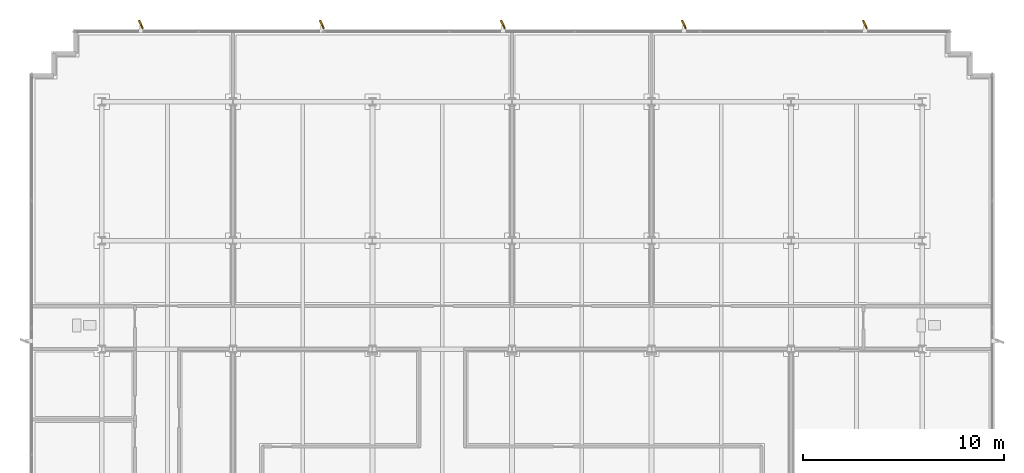
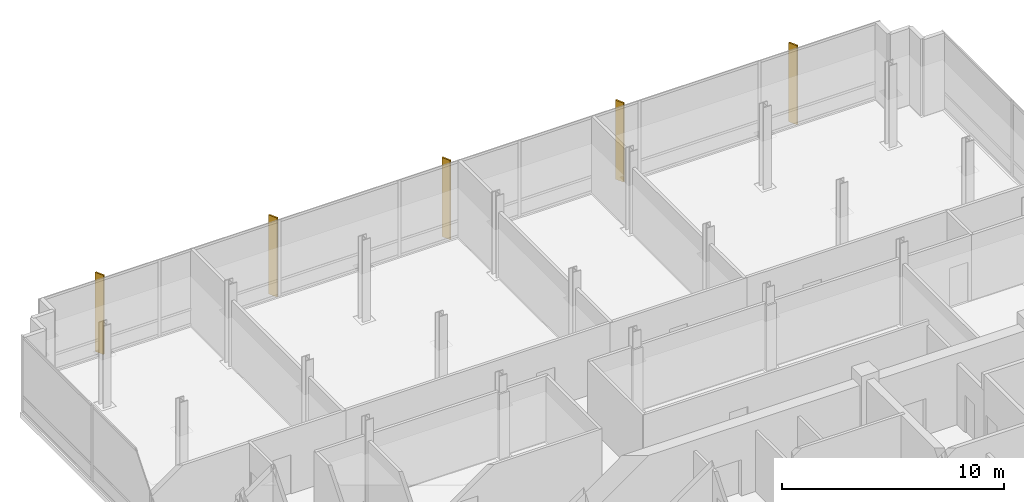
# One storey, part 16 of 17: 5 shading devices.
"""IFC4 building model written with IfcOpenShell, lengths in metres."""

from ifc_helpers import new_model, si_unit, direction, frame, origin, origin_2d, place, context, subcontext, project, spatial, rectangle, extrude, material, type_object, element, save


model = new_model("IFC4")

# Units and contexts
model_context = context("Model", 3, precision=1e-05, world=origin(), true_north=direction((0.0, 1.0)))
body_context = subcontext(model_context, "Body", "Model", "MODEL_VIEW")
ifc_project = project(units=[si_unit("LENGTHUNIT", "METRE"), si_unit("AREAUNIT", "SQUARE_METRE"), si_unit("VOLUMEUNIT", "CUBIC_METRE"), si_unit("PLANEANGLEUNIT", "RADIAN"), si_unit("MASSUNIT", "GRAM", prefix="KILO")], contexts=[model_context])

# Site, building, storey
site_placement = place(None, origin())
site = spatial("IfcSite", under=ifc_project, at=site_placement, CompositionType="ELEMENT")
building_placement = place(site_placement, origin())
building = spatial("IfcBuilding", under=site, at=building_placement, Name="Solmavex Isthmus Hotel", CompositionType="ELEMENT")
storey_placement = place(building_placement, frame((0.0, 0.0, 286.800048828125)))
storey = spatial("IfcBuildingStorey", under=building, at=storey_placement, Name="L78", CompositionType="ELEMENT", Elevation=286.800048828125)

# Shading devices
ifc_material = material(Name="Aluminium alloy 6063-T6", Category="aluminium")
shading_device_type = type_object("IfcShadingDeviceType", Name="SHD-FIN-BRONZE", PredefinedType="USERDEFINED", material=ifc_material)
for number, where, z_axis, x_axis, name in (
    (1, (-18.449951171875, 21.5400390625, -0.14013671875), (0.0, 0.0, 1.0), (-0.438371146789, 0.898794046299, 0.0), "Anodised Aluminium Solar Fin L78-N1"),
    (2, (-9.449951171875, 21.5400390625, -0.14013671875), (0.0, 0.0, 1.0), (-0.438371146789, 0.898794046299, 0.0), "Anodised Aluminium Solar Fin L78-N2"),
    (3, (-0.449951171875, 21.5400390625, -0.14013671875), (0.0, 0.0, 1.0), (-0.438371146789, 0.898794046299, 0.0), "Anodised Aluminium Solar Fin L78-N3"),
    (4, (8.550048828125, 21.5400390625, -0.14013671875), (0.0, 0.0, 1.0), (-0.438371146789, 0.898794046299, 0.0), "Anodised Aluminium Solar Fin L78-N4"),
    (5, (17.550048828125, 21.5400390625, -0.14013671875), (0.0, 0.0, 1.0), (-0.438371146789, 0.898794046299, 0.0), "Anodised Aluminium Solar Fin L78-N5"),
):
    element("IfcShadingDevice", number, at=place(storey_placement, frame(where, z_axis=z_axis, x_axis=x_axis)), inside=storey, type_object=shading_device_type, Name=name, ObjectType="SOLAR_FIN", PredefinedType="USERDEFINED", context=body_context, shape_type="SweptSolid", body=[
        extrude(rectangle(XDim=0.449951171875, YDim=0.080078125, at=origin_2d()), origin(), (0.0, 0.0, 1.0), 4.340087890625),
    ])

save(model, "model.ifc")
